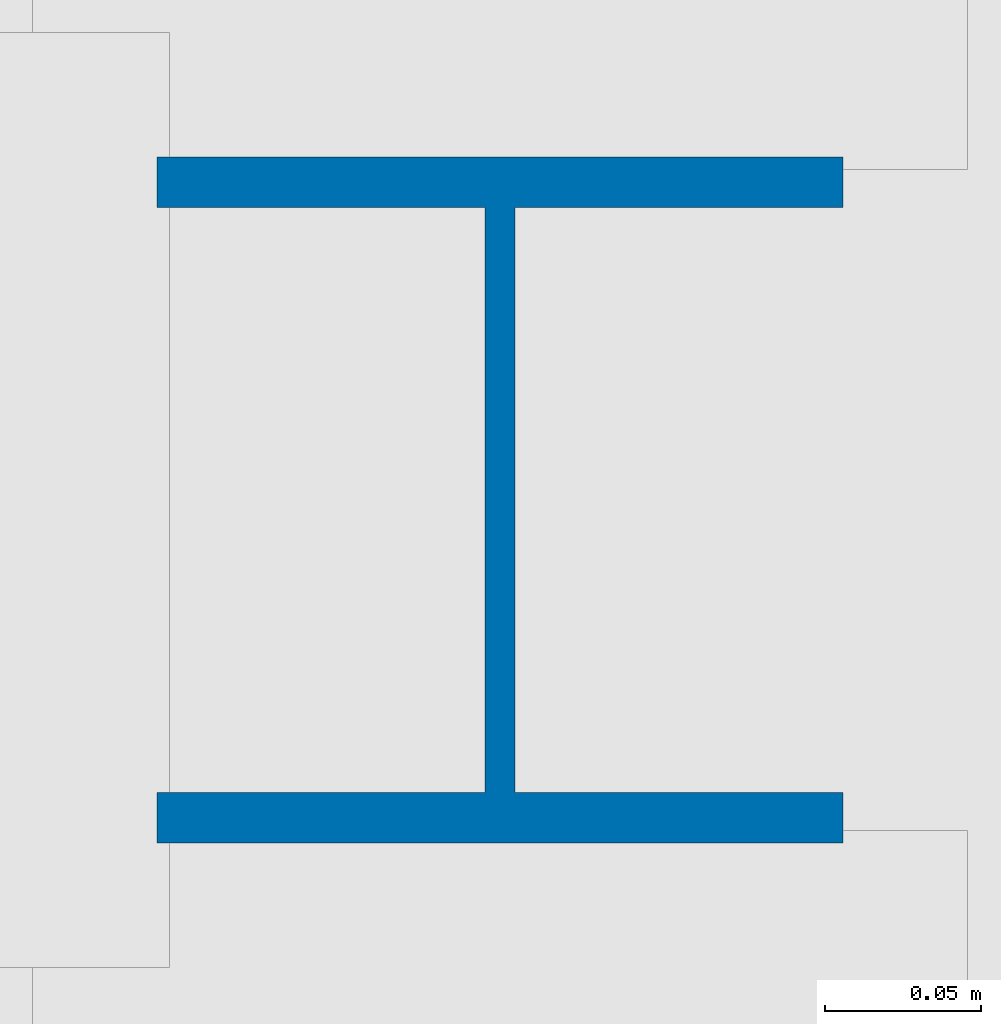
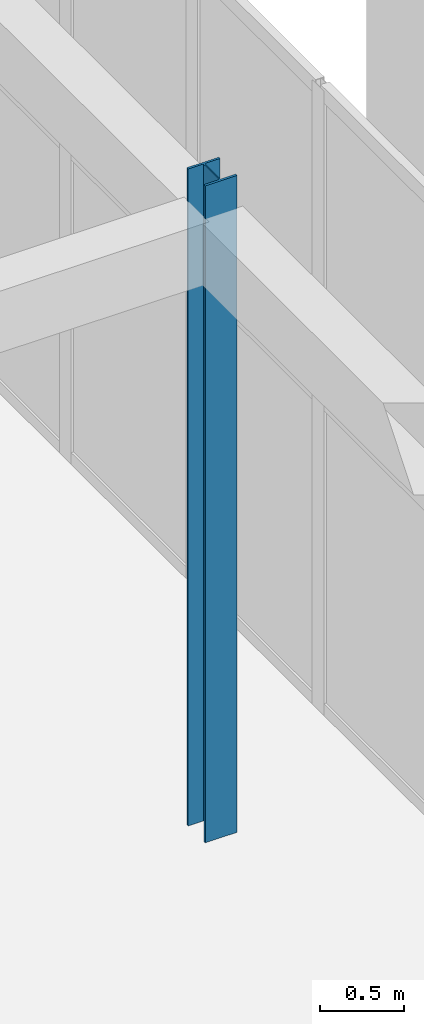
# One storey, part 29 of 192: 1 column.
"""IFC4 building model written with IfcOpenShell, lengths in metres."""

from ifc_helpers import new_model, si_unit, direction, frame, origin, origin_2d, place, context, subcontext, project, spatial, i_section, extrude, material, material_profile, profile_set, type_object, element, save


model = new_model("IFC4")

# Units and contexts
model_context = context("Model", 3, precision=1e-05, world=origin(), true_north=direction((0.0, 1.0)))
body_context = subcontext(model_context, "Body", "Model", "MODEL_VIEW")
ifc_project = project(units=[si_unit("LENGTHUNIT", "METRE"), si_unit("AREAUNIT", "SQUARE_METRE"), si_unit("VOLUMEUNIT", "CUBIC_METRE"), si_unit("PLANEANGLEUNIT", "RADIAN"), si_unit("MASSUNIT", "GRAM", prefix="KILO")], contexts=[model_context])

# Site, building, storey
site_placement = place(None, origin())
site = spatial("IfcSite", under=ifc_project, at=site_placement, CompositionType="ELEMENT")
building_placement = place(site_placement, origin())
building = spatial("IfcBuilding", under=site, at=building_placement, Name="Trelvath General Hospital", CompositionType="ELEMENT")
storey_placement = place(building_placement, origin())
storey = spatial("IfcBuildingStorey", under=building, at=storey_placement, Name="L00", CompositionType="ELEMENT", Elevation=0.0)

# Column
ifc_material = material(Name="Steel S355", Category="steel")
ifc_material_profile = material_profile(ifc_material, i_section(OverallWidth=0.219970703125, OverallDepth=0.219970703125, WebThickness=0.009521484375, FlangeThickness=0.01611328125, at=origin_2d()), Name="HEB220")
ifc_profile_set = profile_set([ifc_material_profile], Name="Steel S355")
column_type = type_object("IfcColumnType", Name="CubePost HEB220", PredefinedType="COLUMN", material=ifc_profile_set)
column_placement = place(storey_placement, frame((120.0, 58.800048828125, 0.0), z_axis=(0.0, 0.0, 1.0), x_axis=(1.0, 0.0, 0.0)))
element("IfcColumn", 1, at=column_placement, inside=storey, type_object=column_type, Name="Cube Interior Column CC-E18 L00", PredefinedType="COLUMN", context=body_context, shape_type="SweptSolid", body=[
    extrude(i_section(OverallWidth=0.219970703125, OverallDepth=0.219970703125, WebThickness=0.009521484375, FlangeThickness=0.01611328125, at=origin_2d()), origin(), (0.0, 0.0, 1.0), 4.800048828125),
])

save(model, "model.ifc")
